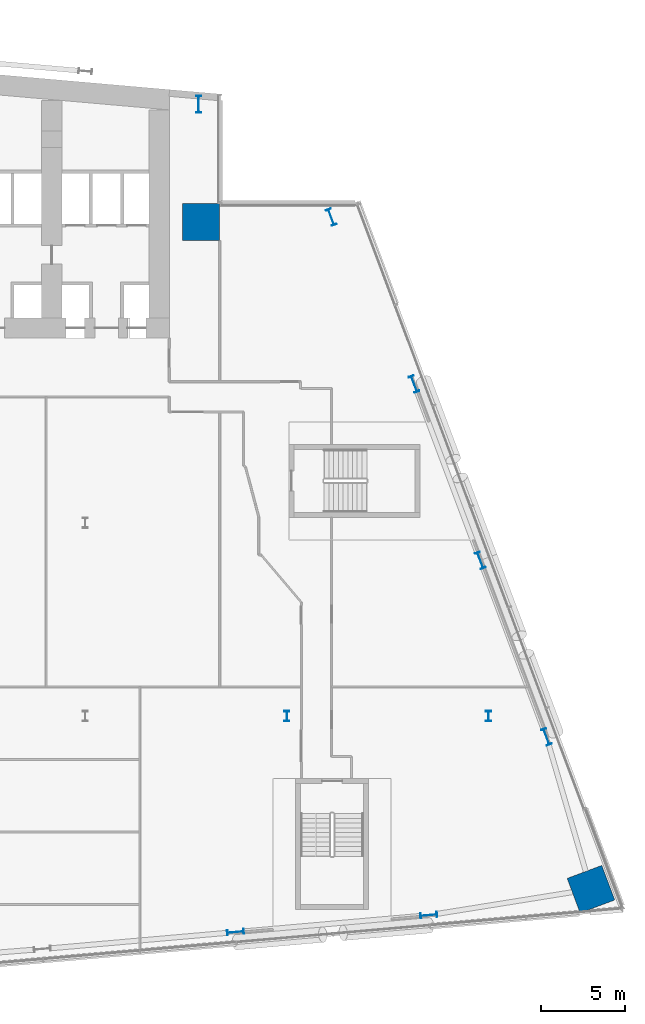
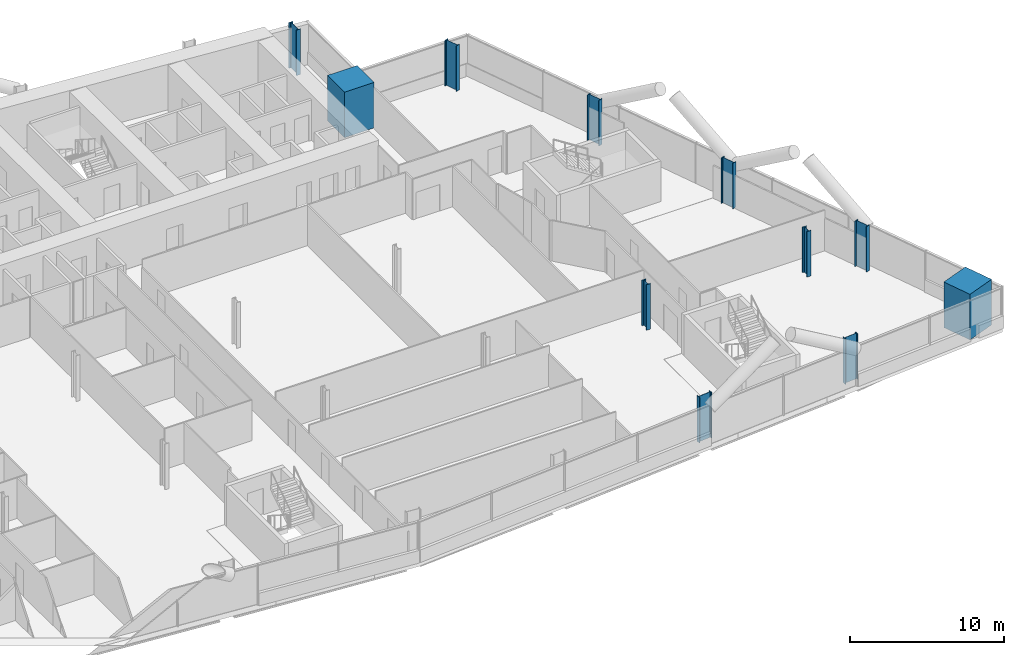
# One storey, part 3 of 27: 11 columns.
"""IFC4 building model written with IfcOpenShell, lengths in metres."""

import ifcopenshell
import ifcopenshell.guid

model = None  # the IFC model being written
_history = None  # IfcOwnerHistory: only IFC2X3 demands one
_inside = {}  # id of a spatial element -> (the spatial element, [elements in it])
_under = {}  # id of a project, library or spatial element -> (it, [spatial elements below it])
_declared = {}  # id of a project -> (the project, [libraries it declares])
_typed = {}  # id of a type object -> (the type object, [elements of that type])
_made_of = {}  # id of a material, layer set ... -> (it, [elements and type objects made of it])


def new_model(schema):
    """Start an empty IFC model of exactly this schema.

    Asked for "IFC4X3", IfcOpenShell would pick the latest addendum, in which some entities
    have other attributes; the version numbers below select the first issue.
    IFC2X3 requires an IfcOwnerHistory on every rooted entity: one is made here for all.
    """
    global model, _history
    if schema == "IFC4X3":
        model = ifcopenshell.file(schema_version=(4, 3, 0, 0))
    else:
        model = ifcopenshell.file(schema=schema)
    _inside.clear()
    _under.clear()
    _declared.clear()
    _typed.clear()
    _made_of.clear()
    _history = None
    if model.schema == "IFC2X3":
        org = make("IfcOrganization", Name="unknown")
        user = make(
            "IfcPersonAndOrganization",
            ThePerson=make("IfcPerson", FamilyName="unknown"),
            TheOrganization=org,
        )
        app = make(
            "IfcApplication",
            ApplicationDeveloper=org,
            Version="unknown",
            ApplicationFullName="unknown",
            ApplicationIdentifier="unknown",
        )
        _history = make(
            "IfcOwnerHistory",
            OwningUser=user,
            OwningApplication=app,
            ChangeAction="ADDED",
            CreationDate=0,
        )
    return model


def make(cls, **values):
    """One entity of the class cls with the attributes given. An attribute that is None is left unset."""
    return model.create_entity(
        cls, **{name: value for name, value in values.items() if value is not None}
    )


def rooted(cls, **values):
    """An entity with a GlobalId (a new one), such as an element, a storey or a relation."""
    return make(cls, GlobalId=ifcopenshell.guid.new(), OwnerHistory=_history, **values)


def si_unit(unit_type, name, prefix=None):
    """IfcSIUnit, for example si_unit("LENGTHUNIT", "METRE", prefix="MILLI")."""
    return make("IfcSIUnit", UnitType=unit_type, Prefix=prefix, Name=name)


def assignment(units):
    """IfcUnitAssignment: the units of a project."""
    return None if units is None else make("IfcUnitAssignment", Units=units)


def point(xyz):
    """IfcCartesianPoint."""
    return None if xyz is None else make("IfcCartesianPoint", Coordinates=xyz)


def direction(xyz):
    """IfcDirection."""
    return None if xyz is None else make("IfcDirection", DirectionRatios=xyz)


def frame(location, z_axis=None, x_axis=None):
    """IfcAxis2Placement3D, a coordinate frame: its origin and axes. An axis left out is left unset."""
    return make(
        "IfcAxis2Placement3D",
        Location=point(location),
        Axis=direction(z_axis),
        RefDirection=direction(x_axis),
    )


def frame_2d(location, x_axis=None):
    """IfcAxis2Placement2D, a coordinate frame in the plane: its origin and x axis."""
    return make(
        "IfcAxis2Placement2D", Location=point(location), RefDirection=direction(x_axis)
    )


def origin():
    """The frame at (0, 0, 0) with its axes left unset."""
    return frame((0.0, 0.0, 0.0))


def origin_2d():
    """The frame at (0, 0) in the plane with its x axis left unset."""
    return frame_2d((0.0, 0.0))


def place(relative_to, where):
    """IfcLocalPlacement: puts the frame where relative to a parent placement (None: the world)."""
    return make(
        "IfcLocalPlacement", PlacementRelTo=relative_to, RelativePlacement=where
    )


def context(
    kind, dimensions, precision=None, world=None, true_north=None, identifier=None
):
    """IfcGeometricRepresentationContext, for example the 3D "Model" context."""
    return make(
        "IfcGeometricRepresentationContext",
        ContextIdentifier=identifier,
        ContextType=kind,
        CoordinateSpaceDimension=dimensions,
        Precision=precision,
        WorldCoordinateSystem=world,
        TrueNorth=true_north,
    )


def subcontext(parent, identifier, kind, view, scale=None):
    """IfcGeometricRepresentationSubContext, for example "Body" below "Model"."""
    return make(
        "IfcGeometricRepresentationSubContext",
        ContextIdentifier=identifier,
        ContextType=kind,
        ParentContext=parent,
        TargetScale=scale,
        TargetView=view,
    )


def project(units=None, contexts=None):
    """IfcProject with its units and contexts."""
    return rooted(
        "IfcProject",
        Name="project",
        RepresentationContexts=contexts,
        UnitsInContext=assignment(units),
    )


def spatial(cls, under=None, at=None, **own):
    """A site, building, storey or space (cls), placed at a placement, below another one or the project."""
    s = rooted(cls, ObjectPlacement=at, **own)
    if under is not None:
        _under.setdefault(under.id(), (under, []))[1].append(s)
    return s


def profile(cls, at=None, kind="AREA", **sizes):
    """A parametric profile (cls). Its sizes go by their IFC names, for example OverallWidth=200.0."""
    return make(cls, ProfileType=kind, Position=at, **sizes)


def rectangle(**sizes):
    """IfcRectangleProfileDef."""
    return profile("IfcRectangleProfileDef", **sizes)


def i_section(**sizes):
    """IfcIShapeProfileDef."""
    return profile("IfcIShapeProfileDef", **sizes)


def extrude(swept, where, along, depth):
    """IfcExtrudedAreaSolid: the profile swept, set in the frame where, extruded along a direction by depth."""
    return make(
        "IfcExtrudedAreaSolid",
        SweptArea=swept,
        Position=where,
        ExtrudedDirection=direction(along),
        Depth=depth,
    )


def shape(context_of_items, identifier, shape_type, items):
    """IfcShapeRepresentation: the items that make up one representation, for example the "Body"."""
    return make(
        "IfcShapeRepresentation",
        ContextOfItems=context_of_items,
        RepresentationIdentifier=identifier,
        RepresentationType=shape_type,
        Items=items,
    )


def material(Name=None, Category=None):
    """IfcMaterial."""
    return make("IfcMaterial", Name=Name, Category=Category)


def material_profile(
    of_material, cross_section, Name=None, Category=None, Priority=None
):
    """IfcMaterialProfile: a cross section and its material."""
    return make(
        "IfcMaterialProfile",
        Name=Name,
        Material=of_material,
        Profile=cross_section,
        Priority=Priority,
        Category=Category,
    )


def profile_set(profiles, Name=None, composite=None):
    """IfcMaterialProfileSet."""
    return make(
        "IfcMaterialProfileSet",
        Name=Name,
        MaterialProfiles=profiles,
        CompositeProfile=composite,
    )


def made_of(thing, what):
    """Note that an element or type object is made of a material, layer set ...; save() writes the relation."""
    if what is not None:
        _made_of.setdefault(what.id(), (what, []))[1].append(thing)
    return thing


def type_object(cls, material=None, **own):
    """A type object (cls), such as IfcWallType, which elements share."""
    return made_of(rooted(cls, **own), material)


def element(
    cls,
    number,
    at=None,
    inside=None,
    cuts=None,
    type_object=None,
    material=None,
    context=None,
    identifier="Body",
    shape_type=None,
    held_by="IfcProductDefinitionShape",
    body=None,
    shapes=None,
    **own,
):
    """One element of the class cls, such as IfcWall. Its Tag is "e" and its number.

    at: its placement. inside: the storey or other place that contains it. cuts: it is an
    opening in that element (IfcRelVoidsElement). A single representation is given by context,
    identifier, shape_type and body (its items); several are given by shapes. held_by: the class
    of the entity that holds the representations. save() writes the other relations.
    """
    e = rooted(cls, Tag="e%d" % number, ObjectPlacement=at, **own)
    if body is not None:
        shapes = [shape(context, identifier, shape_type, body)]
    if shapes is not None:
        e.Representation = make(held_by, Representations=shapes)
    if inside is not None:
        _inside.setdefault(inside.id(), (inside, []))[1].append(e)
    if cuts is not None:
        rooted(
            "IfcRelVoidsElement", RelatingBuildingElement=cuts, RelatedOpeningElement=e
        )
    if type_object is not None:
        _typed.setdefault(type_object.id(), (type_object, []))[1].append(e)
    return made_of(e, material)


def aggregate(whole, parts):
    """IfcRelAggregates: a whole, such as a stair, and the parts it consists of."""
    return rooted("IfcRelAggregates", RelatingObject=whole, RelatedObjects=parts)


def save(model, path):
    """Write the relations noted so far, then the file.

    IfcRelAggregates (storeys below a building ...), IfcRelContainedInSpatialStructure (elements
    in a storey), IfcRelDefinesByType, IfcRelAssociatesMaterial and IfcRelDeclares: one each for
    every whole, place, type object, material and project.
    """
    for whole, parts in _under.values():
        aggregate(whole, parts)
    for where, things in _inside.values():
        rooted(
            "IfcRelContainedInSpatialStructure",
            RelatedElements=things,
            RelatingStructure=where,
        )
    for kind, things in _typed.values():
        rooted("IfcRelDefinesByType", RelatedObjects=things, RelatingType=kind)
    for what, things in _made_of.values():
        rooted("IfcRelAssociatesMaterial", RelatedObjects=things, RelatingMaterial=what)
    for by, libraries in _declared.values():
        rooted("IfcRelDeclares", RelatingContext=by, RelatedDefinitions=libraries)
    model.write(path)


model = new_model("IFC4")

# Units and contexts
model_context = context("Model", 3, precision=1e-05, world=origin(), true_north=direction((0.0, 1.0)))
body_context = subcontext(model_context, "Body", "Model", "MODEL_VIEW")
ifc_project = project(units=[si_unit("LENGTHUNIT", "METRE"), si_unit("AREAUNIT", "SQUARE_METRE"), si_unit("VOLUMEUNIT", "CUBIC_METRE"), si_unit("PLANEANGLEUNIT", "RADIAN"), si_unit("MASSUNIT", "GRAM", prefix="KILO")], contexts=[model_context])

# Site, building, storey
site_placement = place(None, origin())
site = spatial("IfcSite", under=ifc_project, at=site_placement, CompositionType="ELEMENT")
building_placement = place(site_placement, origin())
building = spatial("IfcBuilding", under=site, at=building_placement, Name="Wharfspan Tower", CompositionType="ELEMENT")
storey_placement = place(building_placement, frame((0.0, 0.0, 73.899902)))
storey = spatial("IfcBuildingStorey", under=building, at=storey_placement, Name="L15", CompositionType="ELEMENT", Elevation=73.899902)

# Columns
ifc_material_1 = material(Name="Steel S355J2", Category="steel")
ifc_material_profile_1 = material_profile(ifc_material_1, i_section(OverallWidth=0.302002, OverallDepth=1.008057, WebThickness=0.020996, FlangeThickness=0.040039, FilletRadius=0.030029, at=origin_2d()))
ifc_profile_set_1 = profile_set([ifc_material_profile_1], Name="Steel S355J2")
column_type_1 = type_object("IfcColumnType", Name="Column HEM 1000", PredefinedType="COLUMN", material=ifc_profile_set_1)
for number, where, z_axis, x_axis, name in (
    (1, (68.942383, -1.354736, 0.0), (0.0, 0.0, 1.0), (0.087156, -0.996198, 0.0), "Perimeter column PS2.2 L15"),
    (2, (80.442383, -0.348633, 0.0), (0.0, 0.0, 1.0), (0.087156, -0.996198, 0.0), "Perimeter column PS2.3 L15"),
    (3, (87.44458, 10.268311, 0.0), (0.0, 0.0, 1.0), (0.936328, 0.351123, 0.0), "Perimeter column PE.1 L15"),
    (4, (83.50708, 20.768311, 0.0), (0.0, 0.0, 1.0), (0.936328, 0.351123, 0.0), "Perimeter column PE.2 L15"),
    (5, (79.56958, 31.268311, 0.0), (0.0, 0.0, 1.0), (0.936328, 0.351123, 0.0), "Perimeter column PE.3 L15"),
    (6, (74.634277, 41.196289, 0.0), (0.0, 0.0, 1.0), (0.936328, 0.351123, 0.0), "Perimeter column PE.4 L15"),
    (7, (66.747803, 47.915283, 0.0), (0.0, 0.0, 1.0), (1.0, 0.0, 0.0), "Perimeter column PNRE-V.1 L15"),
):
    element("IfcColumn", number, at=place(storey_placement, frame(where, z_axis=z_axis, x_axis=x_axis)), inside=storey, type_object=column_type_1, Name=name, PredefinedType="COLUMN", context=body_context, shape_type="SweptSolid", body=[
        extrude(i_section(OverallWidth=0.302002, OverallDepth=1.008057, WebThickness=0.020996, FlangeThickness=0.040039, FilletRadius=0.030029, at=origin_2d()), origin(), (0.0, 0.0, 1.0), 3.600098),
    ])
ifc_material_profile_2 = material_profile(ifc_material_1, i_section(OverallWidth=0.304932, OverallDepth=0.620117, WebThickness=0.020996, FlangeThickness=0.040039, FilletRadius=0.0271, at=origin_2d()))
ifc_profile_set_2 = profile_set([ifc_material_profile_2], Name="Steel S355J2")
column_type_2 = type_object("IfcColumnType", Name="Column HEM 600", PredefinedType="COLUMN", material=ifc_profile_set_2)
for number, where, z_axis, x_axis, name in (
    (8, (72.0, 11.5, 0.0), (0.0, 0.0, 1.0), (1.0, 0.0, 0.0), "Interior column I.1.6 L15"),
    (9, (84.0, 11.5, 0.0), (0.0, 0.0, 1.0), (1.0, 0.0, 0.0), "Interior column I.1.7 L15"),
):
    element("IfcColumn", number, at=place(storey_placement, frame(where, z_axis=z_axis, x_axis=x_axis)), inside=storey, type_object=column_type_2, Name=name, PredefinedType="COLUMN", context=body_context, shape_type="SweptSolid", body=[
        extrude(i_section(OverallWidth=0.304932, OverallDepth=0.620117, WebThickness=0.020996, FlangeThickness=0.040039, FilletRadius=0.0271, at=origin_2d()), origin(), (0.0, 0.0, 1.0), 3.600098),
    ])
ifc_material_2 = material(Name="Concrete C70/85", Category="concrete")
ifc_material_profile_3 = material_profile(ifc_material_2, rectangle(XDim=2.199951, YDim=2.199951, at=origin_2d()))
ifc_profile_set_3 = profile_set([ifc_material_profile_3], Name="Concrete C70/85")
column_type_3 = type_object("IfcColumnType", Name="Mega column 2200 C70/85", PredefinedType="COLUMN", material=ifc_profile_set_3)
for number, where, z_axis, x_axis, name in (
    (10, (66.899902, 40.899902, 0.0), (0.0, 0.0, 1.0), (1.0, 0.0, 0.0), "Mega column MC3 L15"),
    (11, (90.096436, 1.199707, 0.0), (0.0, 0.0, 1.0), (-0.351123, 0.936328, 0.0), "Mega column MC4 L15"),
):
    element("IfcColumn", number, at=place(storey_placement, frame(where, z_axis=z_axis, x_axis=x_axis)), inside=storey, type_object=column_type_3, Name=name, PredefinedType="COLUMN", context=body_context, shape_type="SweptSolid", body=[
        extrude(rectangle(XDim=2.199951, YDim=2.199951, at=origin_2d()), origin(), (0.0, 0.0, 1.0), 3.600098),
    ])

save(model, "model.ifc")
